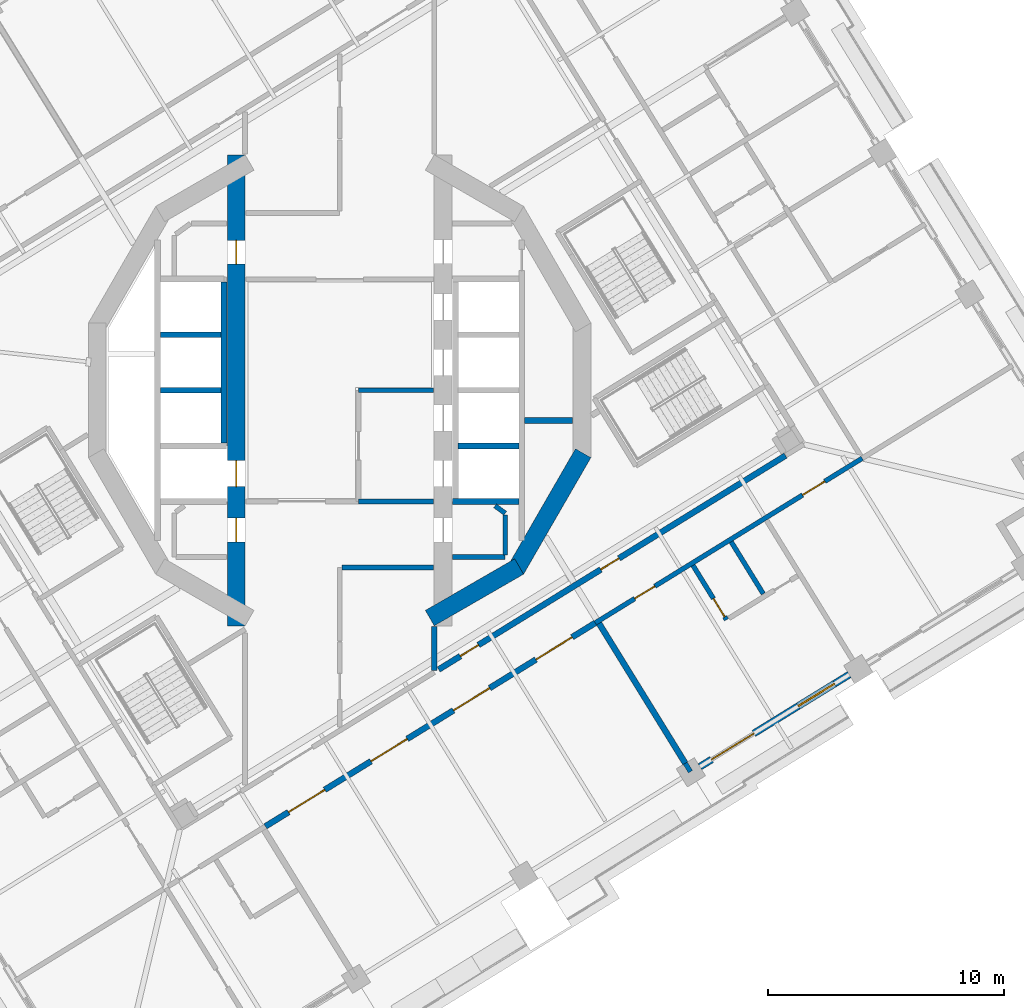
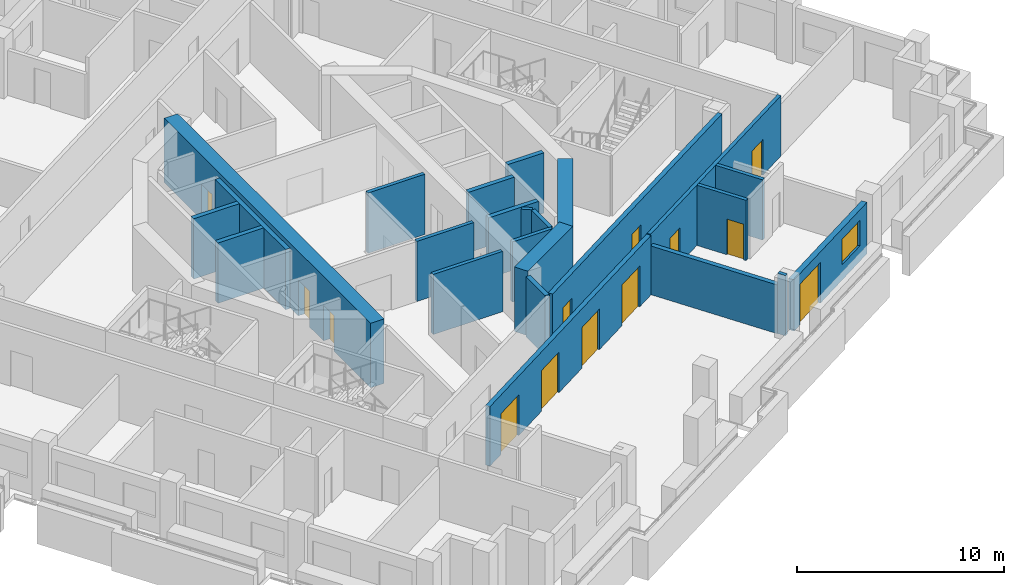
# One storey, part 6 of 21: 24 walls, 13 doors, 1 window, 14 openings.
"""IFC4 building model written with IfcOpenShell, lengths in metres."""

from ifc_helpers import new_model, si_unit, direction, frame, frame_2d, origin, place, context, subcontext, project, spatial, rectangle, extrude, material, layer, layer_set, type_object, element, fill, save


model = new_model("IFC4")

# Units and contexts
model_context = context("Model", 3, precision=1e-05, world=origin(), true_north=direction((0.0, 1.0)))
body_context = subcontext(model_context, "Body", "Model", "MODEL_VIEW")
ifc_project = project(units=[si_unit("LENGTHUNIT", "METRE"), si_unit("AREAUNIT", "SQUARE_METRE"), si_unit("VOLUMEUNIT", "CUBIC_METRE"), si_unit("PLANEANGLEUNIT", "RADIAN"), si_unit("MASSUNIT", "GRAM", prefix="KILO")], contexts=[model_context])

# Site, building, storey
site_placement = place(None, origin())
site = spatial("IfcSite", under=ifc_project, at=site_placement, CompositionType="ELEMENT")
building_placement = place(site_placement, origin())
building = spatial("IfcBuilding", under=site, at=building_placement, Name="Cantera Rosa Tower", CompositionType="ELEMENT")
storey_placement = place(building_placement, frame((0.0, 0.0, 170.39990234375)))
storey = spatial("IfcBuildingStorey", under=building, at=storey_placement, Name="L37", CompositionType="ELEMENT", Elevation=170.39990234375)

# Wall, openings, doors
ifc_material_1 = material(Name="Gypsum board partition")
ifc_layer_1 = layer(ifc_material_1, 0.199951171875)
ifc_layer_set_1 = layer_set([ifc_layer_1], Name="CORRIDOR WALL 200 H3550")
wall_type_1 = type_object("IfcWallType", Name="CORRIDOR WALL 200 H3550", PredefinedType="PARTITIONING", material=ifc_layer_set_1)
wall_1_placement = place(storey_placement, frame((10.810302734375, -9.83984375, 0.0), z_axis=(0.0, 0.0, 1.0), x_axis=(0.851117553223, 0.52497515236, 0.0)))
wall_1 = element("IfcWall", 1, at=wall_1_placement, inside=storey, type_object=wall_type_1, Name="CORRIDOR WALL L37-036", PredefinedType="PARTITIONING", context=body_context, shape_type="SweptSolid", body=[
    extrude(rectangle(XDim=13.2646484375, YDim=0.199951171875, at=frame_2d((6.63232421875, 0.0))), origin(), (0.0, 0.0, 1.0), 3.550048828125),
])
opening_1_placement = place(wall_1_placement, frame((1.9599609375, 0.0, 0.0)))
opening_1 = element("IfcOpeningElement", 2, at=opening_1_placement, cuts=wall_1, Name="Opening L37-049", PredefinedType="OPENING", context=body_context, shape_type="SweptSolid", body=[
    extrude(rectangle(XDim=1.0, YDim=2.10009765625, at=frame_2d((0.5, 1.050048828125))), frame((0.0, 0.10986328125, 0.0), z_axis=(0.0, -1.0, 0.0), x_axis=(1.0, 0.0, 0.0)), (0.0, 0.0, 1.0), 0.219970703125),
])
opening_2_placement = place(wall_1_placement, frame((10.304931640625, 0.0, 0.0)))
opening_2 = element("IfcOpeningElement", 3, at=opening_2_placement, cuts=wall_1, Name="Opening L37-055", PredefinedType="OPENING", context=body_context, shape_type="SweptSolid", body=[
    extrude(rectangle(XDim=1.10009765625, YDim=2.10009765625, at=frame_2d((0.550048828125, 1.050048828125))), frame((0.0, 0.10986328125, 0.0), z_axis=(0.0, -1.0, 0.0), x_axis=(1.0, 0.0, 0.0)), (0.0, 0.0, 1.0), 0.219970703125),
])
ifc_material_2 = material(Name="Timber door leaf", Category="wood")
door_type_1 = type_object("IfcDoorType", Name="ENTRANCE DOOR 1000x2100", OperationType="NOTDEFINED", PredefinedType="DOOR", material=ifc_material_2)
door_1_placement = place(opening_1_placement, origin())
door_1 = element("IfcDoor", 4, at=door_1_placement, inside=storey, type_object=door_type_1, Name="DOOR L37-049", OperationType="NOTDEFINED", OverallHeight=2.10009765625, OverallWidth=1.0, PredefinedType="DOOR", context=body_context, shape_type="SweptSolid", body=[
    extrude(rectangle(XDim=1.0, YDim=2.10009765625, at=frame_2d((0.5, 1.050048828125))), frame((0.0, 0.02490234375, 0.0), z_axis=(0.0, -1.0, 0.0), x_axis=(1.0, 0.0, 0.0)), (0.0, 0.0, 1.0), 0.050048828125),
])
fill(opening_1, door_1)
ifc_material_3 = material(Name="Timber door leaf", Category="wood")
door_type_2 = type_object("IfcDoorType", Name="ROOM DOOR 1100x2100", OperationType="NOTDEFINED", PredefinedType="DOOR", material=ifc_material_3)
door_2_placement = place(opening_2_placement, origin())
door_2 = element("IfcDoor", 5, at=door_2_placement, inside=storey, type_object=door_type_2, Name="DOOR L37-055", OperationType="NOTDEFINED", OverallHeight=2.10009765625, OverallWidth=1.10009765625, PredefinedType="DOOR", context=body_context, shape_type="SweptSolid", body=[
    extrude(rectangle(XDim=1.10009765625, YDim=2.10009765625, at=frame_2d((0.550048828125, 1.050048828125))), frame((0.0, 0.02490234375, 0.0), z_axis=(0.0, -1.0, 0.0), x_axis=(1.0, 0.0, 0.0)), (0.0, 0.0, 1.0), 0.050048828125),
])
fill(opening_2, door_2)

# Wall
wall_2_placement = place(storey_placement, frame((3.969970703125, -7.5, 0.0), z_axis=(0.0, 0.0, 1.0), x_axis=(-1.0, 0.0, 0.0)))
element("IfcWall", 6, at=wall_2_placement, inside=storey, type_object=wall_type_1, Name="CORRIDOR WALL L37-073", PredefinedType="PARTITIONING", context=body_context, shape_type="SweptSolid", body=[
    extrude(rectangle(XDim=3.869873046875, YDim=0.199951171875, at=frame_2d((1.93505859375, 0.0))), origin(), (0.0, 0.0, 1.0), 3.550048828125),
])

# Wall, openings, window, door
ifc_material_4 = material(Name="Hollow clay masonry with cantera stone cladding", Category="masonry")
ifc_layer_2 = layer(ifc_material_4, 0.300048828125)
ifc_layer_set_2 = layer_set([ifc_layer_2], Name="EW-LOGGIA 300 H3020")
wall_type_2 = type_object("IfcWallType", Name="EW-LOGGIA 300 H3020", PredefinedType="SOLIDWALL", material=ifc_layer_set_2)
wall_3_placement = place(storey_placement, frame((15.23681640625, -15.92138671875, 0.0), z_axis=(0.0, 0.0, 1.0), x_axis=(0.85112578684, 0.524961803349, 0.0)))
wall_3 = element("IfcWall", 7, at=wall_3_placement, inside=storey, type_object=wall_type_2, Name="EN-L37-W25", PredefinedType="SOLIDWALL", context=body_context, shape_type="SweptSolid", body=[
    extrude(rectangle(XDim=7.420166015625, YDim=0.300048828125, at=frame_2d((3.7099609375, 0.0))), origin(), (0.0, 0.0, 1.0), 3.02001953125),
])
opening_3_placement = place(wall_3_placement, frame((0.580078125, 0.0, 0.0)))
opening_3 = element("IfcOpeningElement", 8, at=opening_3_placement, cuts=wall_3, Name="Opening L37-TD33", PredefinedType="OPENING", context=body_context, shape_type="SweptSolid", body=[
    extrude(rectangle(XDim=2.10009765625, YDim=2.39990234375, at=frame_2d((1.050048828125, 1.199951171875))), frame((0.0, 0.159912109375, 0.0), z_axis=(0.0, -1.0, 0.0), x_axis=(1.0, 0.0, 0.0)), (0.0, 0.0, 1.0), 0.320068359375),
])
opening_4_placement = place(wall_3_placement, frame((4.889892578125, 0.0, 0.89990234375)))
opening_4 = element("IfcOpeningElement", 9, at=opening_4_placement, cuts=wall_3, Name="Opening L37-W34", PredefinedType="OPENING", context=body_context, shape_type="SweptSolid", body=[
    extrude(rectangle(XDim=1.800048828125, YDim=1.5, at=frame_2d((0.89990234375, 0.75))), frame((0.0, 0.159912109375, 0.0), z_axis=(0.0, -1.0, 0.0), x_axis=(1.0, 0.0, 0.0)), (0.0, 0.0, 1.0), 0.320068359375),
])
ifc_material_5 = material(Name="Aluminium frame with clear glass", Category="aluminium")
window_type = type_object("IfcWindowType", Name="Hotel room window 1800x1500", PartitioningType="DOUBLE_PANEL_VERTICAL", PredefinedType="WINDOW", material=ifc_material_5)
window_placement = place(opening_4_placement, origin())
window = element("IfcWindow", 10, at=window_placement, inside=storey, type_object=window_type, Name="WINDOW L37-W34", OverallHeight=1.5, OverallWidth=1.800048828125, PartitioningType="SINGLE_PANEL", PredefinedType="WINDOW", context=body_context, shape_type="SweptSolid", body=[
    extrude(rectangle(XDim=1.800048828125, YDim=1.5, at=frame_2d((0.89990234375, 0.75))), frame((0.0, 0.030029296875, 0.0), z_axis=(0.0, -1.0, 0.0), x_axis=(1.0, 0.0, 0.0)), (0.0, 0.0, 1.0), 0.06005859375),
])
fill(opening_4, window)
ifc_material_6 = material(Name="Aluminium frame with clear glass", Category="aluminium")
door_type_3 = type_object("IfcDoorType", Name="TD-H 2100x2400", OperationType="NOTDEFINED", PredefinedType="DOOR", material=ifc_material_6)
door_3_placement = place(opening_3_placement, origin())
door_3 = element("IfcDoor", 11, at=door_3_placement, inside=storey, type_object=door_type_3, Name="LOGGIA DOOR L37-TD33", OperationType="SLIDING_TO_LEFT", OverallHeight=2.39990234375, OverallWidth=2.10009765625, PredefinedType="DOOR", context=body_context, shape_type="SweptSolid", body=[
    extrude(rectangle(XDim=2.10009765625, YDim=2.39990234375, at=frame_2d((1.050048828125, 1.199951171875))), frame((0.0, 0.02490234375, 0.0), z_axis=(0.0, -1.0, 0.0), x_axis=(1.0, 0.0, 0.0)), (0.0, 0.0, 1.0), 0.050048828125),
])
fill(opening_3, door_3)

# Wall
ifc_material_7 = material(Name="Concrete C40/50", Category="concrete")
ifc_layer_3 = layer(ifc_material_7, 0.25)
ifc_layer_set_3 = layer_set([ifc_layer_3], Name="EW-POCKET CHEEK 250 H2870")
wall_type_3 = type_object("IfcWallType", Name="EW-POCKET CHEEK 250 H2870", PredefinedType="SOLIDWALL", material=ifc_layer_set_3)
wall_4_placement = place(storey_placement, frame((14.61767578125, -15.774658203125, 0.0), z_axis=(0.0, 0.0, 1.0), x_axis=(-0.524984984735, 0.851111488468, 0.0)))
element("IfcWall", 12, at=wall_4_placement, inside=storey, type_object=wall_type_3, Name="POCKET CHEEK B L37", PredefinedType="SOLIDWALL", context=body_context, shape_type="SweptSolid", body=[
    extrude(rectangle(XDim=6.949951171875, YDim=0.25, at=frame_2d((3.47509765625, 0.0))), origin(), (0.0, 0.0, 1.0), 2.8701171875),
])

# Wall, openings, doors
ifc_material_8 = material(Name="Hollow clay masonry with cantera stone cladding", Category="masonry")
ifc_layer_4 = layer(ifc_material_8, 0.25)
ifc_layer_set_4 = layer_set([ifc_layer_4], Name="EW-POCKET REAR 250")
wall_type_4 = type_object("IfcWallType", Name="EW-POCKET REAR 250", PredefinedType="SOLIDWALL", material=ifc_layer_set_4)
wall_5_placement = place(storey_placement, frame((-3.1396484375, -18.4443359375, 0.0), z_axis=(0.0, 0.0, 1.0), x_axis=(0.851111635158, 0.52498474692, 0.0)))
wall_5 = element("IfcWall", 13, at=wall_5_placement, inside=storey, type_object=wall_type_4, Name="POCKET REAR L37", PredefinedType="SOLIDWALL", context=body_context, shape_type="SweptSolid", body=[
    extrude(rectangle(XDim=16.389892578125, YDim=0.25, at=frame_2d((8.19482421875, 0.0))), origin(), (0.0, 0.0, 1.0), 3.5),
])
opening_5_placement = place(wall_5_placement, frame((1.148681640625, 0.0, 0.0)))
opening_5 = element("IfcOpeningElement", 14, at=opening_5_placement, cuts=wall_5, Name="Opening L37-LT01", PredefinedType="OPENING", context=body_context, shape_type="SweptSolid", body=[
    extrude(rectangle(XDim=1.800048828125, YDim=2.39990234375, at=frame_2d((0.89990234375, 1.199951171875))), frame((0.0, 0.135009765625, 0.0), z_axis=(0.0, -1.0, 0.0), x_axis=(1.0, 0.0, 0.0)), (0.0, 0.0, 1.0), 0.27001953125),
])
opening_6_placement = place(wall_5_placement, frame((5.246337890625, 0.0, 0.0)))
opening_6 = element("IfcOpeningElement", 15, at=opening_6_placement, cuts=wall_5, Name="Opening L37-LT02", PredefinedType="OPENING", context=body_context, shape_type="SweptSolid", body=[
    extrude(rectangle(XDim=1.800048828125, YDim=2.39990234375, at=frame_2d((0.89990234375, 1.199951171875))), frame((0.0, 0.135009765625, 0.0), z_axis=(0.0, -1.0, 0.0), x_axis=(1.0, 0.0, 0.0)), (0.0, 0.0, 1.0), 0.27001953125),
])
opening_7_placement = place(wall_5_placement, frame((9.34375, 0.0, 0.0)))
opening_7 = element("IfcOpeningElement", 16, at=opening_7_placement, cuts=wall_5, Name="Opening L37-LT03", PredefinedType="OPENING", context=body_context, shape_type="SweptSolid", body=[
    extrude(rectangle(XDim=1.800048828125, YDim=2.39990234375, at=frame_2d((0.89990234375, 1.199951171875))), frame((0.0, 0.135009765625, 0.0), z_axis=(0.0, -1.0, 0.0), x_axis=(1.0, 0.0, 0.0)), (0.0, 0.0, 1.0), 0.27001953125),
])
opening_8_placement = place(wall_5_placement, frame((13.441162109375, 0.0, 0.0)))
opening_8 = element("IfcOpeningElement", 17, at=opening_8_placement, cuts=wall_5, Name="Opening L37-LT04", PredefinedType="OPENING", context=body_context, shape_type="SweptSolid", body=[
    extrude(rectangle(XDim=1.800048828125, YDim=2.39990234375, at=frame_2d((0.89990234375, 1.199951171875))), frame((0.0, 0.135009765625, 0.0), z_axis=(0.0, -1.0, 0.0), x_axis=(1.0, 0.0, 0.0)), (0.0, 0.0, 1.0), 0.27001953125),
])
ifc_material_9 = material(Name="Aluminium frame with clear glass", Category="aluminium")
door_type_4 = type_object("IfcDoorType", Name="TD-T 1800x2400", OperationType="NOTDEFINED", PredefinedType="DOOR", material=ifc_material_9)
door_4_placement = place(opening_5_placement, origin())
door_4 = element("IfcDoor", 18, at=door_4_placement, inside=storey, type_object=door_type_4, Name="TERRACE DOOR L37-LT01", OperationType="DOUBLE_DOOR_SINGLE_SWING", OverallHeight=2.39990234375, OverallWidth=1.800048828125, PredefinedType="DOOR", context=body_context, shape_type="SweptSolid", body=[
    extrude(rectangle(XDim=1.800048828125, YDim=2.39990234375, at=frame_2d((0.89990234375, 1.199951171875))), frame((0.0, 0.02490234375, 0.0), z_axis=(0.0, -1.0, 0.0), x_axis=(1.0, 0.0, 0.0)), (0.0, 0.0, 1.0), 0.050048828125),
])
fill(opening_5, door_4)
door_5_placement = place(opening_6_placement, origin())
door_5 = element("IfcDoor", 19, at=door_5_placement, inside=storey, type_object=door_type_4, Name="TERRACE DOOR L37-LT02", OperationType="DOUBLE_DOOR_SINGLE_SWING", OverallHeight=2.39990234375, OverallWidth=1.800048828125, PredefinedType="DOOR", context=body_context, shape_type="SweptSolid", body=[
    extrude(rectangle(XDim=1.800048828125, YDim=2.39990234375, at=frame_2d((0.89990234375, 1.199951171875))), frame((0.0, 0.02490234375, 0.0), z_axis=(0.0, -1.0, 0.0), x_axis=(1.0, 0.0, 0.0)), (0.0, 0.0, 1.0), 0.050048828125),
])
fill(opening_6, door_5)
door_6_placement = place(opening_7_placement, origin())
door_6 = element("IfcDoor", 20, at=door_6_placement, inside=storey, type_object=door_type_4, Name="TERRACE DOOR L37-LT03", OperationType="DOUBLE_DOOR_SINGLE_SWING", OverallHeight=2.39990234375, OverallWidth=1.800048828125, PredefinedType="DOOR", context=body_context, shape_type="SweptSolid", body=[
    extrude(rectangle(XDim=1.800048828125, YDim=2.39990234375, at=frame_2d((0.89990234375, 1.199951171875))), frame((0.0, 0.02490234375, 0.0), z_axis=(0.0, -1.0, 0.0), x_axis=(1.0, 0.0, 0.0)), (0.0, 0.0, 1.0), 0.050048828125),
])
fill(opening_7, door_6)
door_7_placement = place(opening_8_placement, origin())
door_7 = element("IfcDoor", 21, at=door_7_placement, inside=storey, type_object=door_type_4, Name="TERRACE DOOR L37-LT04", OperationType="DOUBLE_DOOR_SINGLE_SWING", OverallHeight=2.39990234375, OverallWidth=1.800048828125, PredefinedType="DOOR", context=body_context, shape_type="SweptSolid", body=[
    extrude(rectangle(XDim=1.800048828125, YDim=2.39990234375, at=frame_2d((0.89990234375, 1.199951171875))), frame((0.0, 0.02490234375, 0.0), z_axis=(0.0, -1.0, 0.0), x_axis=(1.0, 0.0, 0.0)), (0.0, 0.0, 1.0), 0.050048828125),
])
fill(opening_8, door_7)

# Walls
ifc_material_10 = material(Name="Gypsum board partition")
ifc_layer_5 = layer(ifc_material_10, 0.199951171875)
ifc_layer_set_5 = layer_set([ifc_layer_5], Name="PARTITION 200 H3550")
wall_type_5 = type_object("IfcWallType", Name="PARTITION 200 H3550", PredefinedType="PARTITIONING", material=ifc_layer_set_5)
wall_6_placement = place(storey_placement, frame((6.572509765625, -4.888427734375, 0.0), z_axis=(0.0, 0.0, 1.0), x_axis=(0.808176867567, -0.588939853236, 0.0)))
element("IfcWall", 22, at=wall_6_placement, inside=storey, type_object=wall_type_5, Name="PARTITION L37-083", PredefinedType="PARTITIONING", context=body_context, shape_type="SweptSolid", body=[
    extrude(rectangle(XDim=0.529052734375, YDim=0.199951171875, at=frame_2d((0.2646484375, 0.0))), origin(), (0.0, 0.0, 1.0), 3.550048828125),
])
wall_7_placement = place(storey_placement, frame((7.0, -7.050048828125, 0.0), z_axis=(0.0, 0.0, 1.0), x_axis=(-1.0, 0.0, 0.0)))
element("IfcWall", 23, at=wall_7_placement, inside=storey, type_object=wall_type_5, Name="PARTITION L37-086", PredefinedType="PARTITIONING", context=body_context, shape_type="SweptSolid", body=[
    extrude(rectangle(XDim=2.219970703125, YDim=0.199951171875, at=frame_2d((1.10986328125, 0.0))), origin(), (0.0, 0.0, 1.0), 3.550048828125),
])
wall_8_placement = place(storey_placement, frame((7.0, -5.280029296875, 0.0), z_axis=(0.0, 0.0, 1.0), x_axis=(0.0, -1.0, 0.0)))
element("IfcWall", 24, at=wall_8_placement, inside=storey, type_object=wall_type_5, Name="PARTITION L37-087", PredefinedType="PARTITIONING", context=body_context, shape_type="SweptSolid", body=[
    extrude(rectangle(XDim=1.68994140625, YDim=0.199951171875, at=frame_2d((0.844970703125, 0.0))), origin(), (0.0, 0.0, 1.0), 3.550048828125),
])

# Wall, opening, door
wall_9_placement = place(storey_placement, frame((16.361083984375, -9.705810546875, 0.0), z_axis=(0.0, 0.0, 1.0), x_axis=(-0.524909448059, 0.851158076586, 0.0)))
wall_9 = element("IfcWall", 25, at=wall_9_placement, inside=storey, type_object=wall_type_5, Name="PARTITION L37-115", PredefinedType="PARTITIONING", context=body_context, shape_type="SweptSolid", body=[
    extrude(rectangle(XDim=2.699951171875, YDim=0.199951171875, at=frame_2d((1.35009765625, 0.0))), origin(), (0.0, 0.0, 1.0), 3.550048828125),
])
opening_9_placement = place(wall_9_placement, frame((0.14990234375, 0.0, 0.0)))
opening_9 = element("IfcOpeningElement", 26, at=opening_9_placement, cuts=wall_9, Name="Opening L37-051", PredefinedType="OPENING", context=body_context, shape_type="SweptSolid", body=[
    extrude(rectangle(XDim=0.89990234375, YDim=2.10009765625, at=frame_2d((0.449951171875, 1.050048828125))), frame((0.0, 0.10986328125, 0.0), z_axis=(0.0, -1.0, 0.0), x_axis=(1.0, 0.0, 0.0)), (0.0, 0.0, 1.0), 0.219970703125),
])
ifc_material_11 = material(Name="Timber door leaf", Category="wood")
door_type_5 = type_object("IfcDoorType", Name="ROOM DOOR 900x2100", OperationType="NOTDEFINED", PredefinedType="DOOR", material=ifc_material_11)
door_8_placement = place(opening_9_placement, origin())
door_8 = element("IfcDoor", 27, at=door_8_placement, inside=storey, type_object=door_type_5, Name="DOOR L37-051", OperationType="NOTDEFINED", OverallHeight=2.10009765625, OverallWidth=0.89990234375, PredefinedType="DOOR", context=body_context, shape_type="SweptSolid", body=[
    extrude(rectangle(XDim=0.89990234375, YDim=2.10009765625, at=frame_2d((0.449951171875, 1.050048828125))), frame((0.0, 0.02490234375, 0.0), z_axis=(0.0, -1.0, 0.0), x_axis=(1.0, 0.0, 0.0)), (0.0, 0.0, 1.0), 0.050048828125),
])
fill(opening_9, door_8)

# Walls
wall_10_placement = place(storey_placement, frame((17.915283203125, -8.606201171875, 0.0), z_axis=(0.0, 0.0, 1.0), x_axis=(-0.525005247362, 0.851098989685, 0.0)))
element("IfcWall", 28, at=wall_10_placement, inside=storey, type_object=wall_type_5, Name="PARTITION L37-118", PredefinedType="PARTITIONING", context=body_context, shape_type="SweptSolid", body=[
    extrude(rectangle(XDim=2.580078125, YDim=0.199951171875, at=frame_2d((1.2900390625, 0.0))), origin(), (0.0, 0.0, 1.0), 3.550048828125),
])
ifc_material_12 = material(Name="Gypsum board partition")
ifc_layer_6 = layer(ifc_material_12, 0.199951171875)
ifc_layer_set_6 = layer_set([ifc_layer_6], Name="PARTY WALL 200 H3550")
wall_type_6 = type_object("IfcWallType", Name="PARTY WALL 200 H3550", PredefinedType="PARTITIONING", material=ifc_layer_set_6)
wall_11_placement = place(storey_placement, frame((14.838134765625, -16.132080078125, 0.0), z_axis=(0.0, 0.0, 1.0), x_axis=(-0.524972939322, 0.851118918236, 0.0)))
element("IfcWall", 29, at=wall_11_placement, inside=storey, type_object=wall_type_6, Name="PARTY WALL L37-110", PredefinedType="PARTITIONING", context=body_context, shape_type="SweptSolid", body=[
    extrude(rectangle(XDim=0.419921875, YDim=0.199951171875, at=frame_2d((0.2099609375, 0.0))), origin(), (0.0, 0.0, 1.0), 3.550048828125),
])

# Wall, openings, doors
ifc_material_13 = material(Name="Concrete C60/75", Category="concrete")
ifc_layer_7 = layer(ifc_material_13, 0.75)
ifc_layer_set_7 = layer_set([ifc_layer_7], Name="RC CORE WALL 750 C60/75")
wall_type_7 = type_object("IfcWallType", Name="RC CORE WALL 750 C60/75", PredefinedType="SHEAR", material=ifc_layer_set_7)
wall_12_placement = place(storey_placement, frame((-4.375, 9.95947265625, 0.0), z_axis=(0.0, 0.0, 1.0), x_axis=(0.0, -1.0, 0.0)))
wall_12 = element("IfcWall", 30, at=wall_12_placement, inside=storey, type_object=wall_type_7, Name="CW-W6 L37", PredefinedType="SHEAR", context=body_context, shape_type="SweptSolid", body=[
    extrude(rectangle(XDim=19.9189453125, YDim=0.75, at=frame_2d((9.95947265625, 0.0))), origin(), (0.0, 0.0, 1.0), 3.800048828125),
])
opening_10_placement = place(wall_12_placement, frame((12.9345703125, 0.0, 0.0)))
opening_10 = element("IfcOpeningElement", 31, at=opening_10_placement, cuts=wall_12, Name="Opening LD-P3-L37", PredefinedType="OPENING", context=body_context, shape_type="SweptSolid", body=[
    extrude(rectangle(XDim=1.10009765625, YDim=2.10009765625, at=frame_2d((0.550048828125, 1.050048828125))), frame((0.0, 0.385009765625, 0.0), z_axis=(0.0, -1.0, 0.0), x_axis=(1.0, 0.0, 0.0)), (0.0, 0.0, 1.0), 0.77001953125),
])
opening_11_placement = place(wall_12_placement, frame((15.368408203125, 0.0, 0.0)))
opening_11 = element("IfcOpeningElement", 32, at=opening_11_placement, cuts=wall_12, Name="Opening SD-L37-18", PredefinedType="OPENING", context=body_context, shape_type="SweptSolid", body=[
    extrude(rectangle(XDim=1.0, YDim=2.10009765625, at=frame_2d((0.5, 1.050048828125))), frame((0.0, 0.385009765625, 0.0), z_axis=(0.0, -1.0, 0.0), x_axis=(1.0, 0.0, 0.0)), (0.0, 0.0, 1.0), 0.77001953125),
])
opening_12_placement = place(wall_12_placement, frame((3.618408203125, 0.0, 0.0)))
opening_12 = element("IfcOpeningElement", 33, at=opening_12_placement, cuts=wall_12, Name="Opening SD-L37-19", PredefinedType="OPENING", context=body_context, shape_type="SweptSolid", body=[
    extrude(rectangle(XDim=1.0, YDim=2.10009765625, at=frame_2d((0.5, 1.050048828125))), frame((0.0, 0.385009765625, 0.0), z_axis=(0.0, -1.0, 0.0), x_axis=(1.0, 0.0, 0.0)), (0.0, 0.0, 1.0), 0.77001953125),
])
ifc_material_14 = material(Name="Steel S355J2 (EN 10025-2)", Category="steel")
door_type_6 = type_object("IfcDoorType", Name="LANDING DOOR 1100x2100", OperationType="NOTDEFINED", PredefinedType="DOOR", material=ifc_material_14)
door_9_placement = place(opening_10_placement, origin())
door_9 = element("IfcDoor", 34, at=door_9_placement, inside=storey, type_object=door_type_6, Name="LANDING DOOR P3 L37", OperationType="SLIDING_TO_LEFT", OverallHeight=2.10009765625, OverallWidth=1.10009765625, PredefinedType="DOOR", context=body_context, shape_type="SweptSolid", body=[
    extrude(rectangle(XDim=1.10009765625, YDim=2.10009765625, at=frame_2d((0.550048828125, 1.050048828125))), frame((0.0, 0.02490234375, 0.0), z_axis=(0.0, -1.0, 0.0), x_axis=(1.0, 0.0, 0.0)), (0.0, 0.0, 1.0), 0.050048828125),
])
fill(opening_10, door_9)
ifc_material_15 = material(Name="Timber door leaf", Category="wood")
door_type_7 = type_object("IfcDoorType", Name="SERVICE DOOR 1000x2100", OperationType="NOTDEFINED", PredefinedType="DOOR", material=ifc_material_15)
door_10_placement = place(opening_11_placement, origin())
door_10 = element("IfcDoor", 35, at=door_10_placement, inside=storey, type_object=door_type_7, Name="DOOR L37-SD18", OperationType="NOTDEFINED", OverallHeight=2.10009765625, OverallWidth=1.0, PredefinedType="DOOR", context=body_context, shape_type="SweptSolid", body=[
    extrude(rectangle(XDim=1.0, YDim=2.10009765625, at=frame_2d((0.5, 1.050048828125))), frame((0.0, 0.02490234375, 0.0), z_axis=(0.0, -1.0, 0.0), x_axis=(1.0, 0.0, 0.0)), (0.0, 0.0, 1.0), 0.050048828125),
])
fill(opening_11, door_10)
door_11_placement = place(opening_12_placement, origin())
door_11 = element("IfcDoor", 36, at=door_11_placement, inside=storey, type_object=door_type_7, Name="DOOR L37-SD19", OperationType="NOTDEFINED", OverallHeight=2.10009765625, OverallWidth=1.0, PredefinedType="DOOR", context=body_context, shape_type="SweptSolid", body=[
    extrude(rectangle(XDim=1.0, YDim=2.10009765625, at=frame_2d((0.5, 1.050048828125))), frame((0.0, 0.02490234375, 0.0), z_axis=(0.0, -1.0, 0.0), x_axis=(1.0, 0.0, 0.0)), (0.0, 0.0, 1.0), 0.050048828125),
])
fill(opening_12, door_11)

# Walls
wall_13_placement = place(storey_placement, frame((10.300537109375, -2.659423828125, 0.0), z_axis=(0.0, 0.0, 1.0), x_axis=(-0.500021842983, -0.866012792365, 0.0)))
element("IfcWall", 37, at=wall_13_placement, inside=storey, type_object=wall_type_7, Name="CW-E4 L37", PredefinedType="SHEAR", context=body_context, shape_type="SweptSolid", body=[
    extrude(rectangle(XDim=5.694091796875, YDim=0.75, at=frame_2d((2.84716796875, 0.0))), origin(), (0.0, 0.0, 1.0), 3.800048828125),
])
wall_14_placement = place(storey_placement, frame((7.590576171875, -7.453369140625, 0.0), z_axis=(0.0, 0.0, 1.0), x_axis=(-0.866013176292, -0.50002117804, 0.0)))
element("IfcWall", 38, at=wall_14_placement, inside=storey, type_object=wall_type_7, Name="CW-E5 L37", PredefinedType="SHEAR", context=body_context, shape_type="SweptSolid", body=[
    extrude(rectangle(XDim=4.362548828125, YDim=0.75, at=frame_2d((2.18115234375, 0.0))), origin(), (0.0, 0.0, 1.0), 3.800048828125),
])
ifc_material_16 = material(Name="Masonry blockwork", Category="masonry")
ifc_layer_8 = layer(ifc_material_16, 0.25)
ifc_layer_set_8 = layer_set([ifc_layer_8], Name="SHAFT WALL 250 H3550")
wall_type_8 = type_object("IfcWallType", Name="SHAFT WALL 250 H3550", PredefinedType="SOLIDWALL", material=ifc_layer_set_8)
for number, where, z_axis, x_axis, name in (
    (39, (-7.574951171875, 0.0, 0.0), (0.0, 0.0, 1.0), (1.0, 0.0, 0.0), "SHAFT WALL L37-030"),
    (40, (-7.574951171875, 2.35009765625, 0.0), (0.0, 0.0, 1.0), (1.0, 0.0, 0.0), "SHAFT WALL L37-031"),
):
    element("IfcWall", number, at=place(storey_placement, frame(where, z_axis=z_axis, x_axis=x_axis)), inside=storey, type_object=wall_type_8, Name=name, PredefinedType="SOLIDWALL", context=body_context, shape_type="SweptSolid", body=[
        extrude(rectangle(XDim=2.550048828125, YDim=0.25, at=frame_2d((1.27490234375, 0.0))), origin(), (0.0, 0.0, 1.0), 3.550048828125),
    ])
wall_15_placement = place(storey_placement, frame((-4.89990234375, 4.580078125, 0.0), z_axis=(0.0, 0.0, 1.0), x_axis=(0.0, -1.0, 0.0)))
element("IfcWall", 41, at=wall_15_placement, inside=storey, type_object=wall_type_8, Name="SHAFT WALL L37-046", PredefinedType="SOLIDWALL", context=body_context, shape_type="SweptSolid", body=[
    extrude(rectangle(XDim=6.80517578125, YDim=0.25, at=frame_2d((3.402587890625, 0.0))), origin(), (0.0, 0.0, 1.0), 3.550048828125),
])
wall_16_placement = place(storey_placement, frame((4.0, -11.845703125, 0.0), z_axis=(0.0, 0.0, 1.0), x_axis=(0.0, 1.0, 0.0)))
element("IfcWall", 42, at=wall_16_placement, inside=storey, type_object=wall_type_8, Name="SHAFT WALL L37-075", PredefinedType="SOLIDWALL", context=body_context, shape_type="SweptSolid", body=[
    extrude(rectangle(XDim=1.8515625, YDim=0.25, at=frame_2d((0.92578125, 0.0))), origin(), (0.0, 0.0, 1.0), 3.550048828125),
])

# Wall, openings, doors
wall_17_placement = place(storey_placement, frame((4.187255859375, -11.81005859375, 0.0), z_axis=(0.0, 0.0, 1.0), x_axis=(0.851119501836, 0.524971993153, 0.0)))
wall_17 = element("IfcWall", 43, at=wall_17_placement, inside=storey, type_object=wall_type_8, Name="SHAFT WALL L37-076", PredefinedType="SOLIDWALL", context=body_context, shape_type="SweptSolid", body=[
    extrude(rectangle(XDim=17.236328125, YDim=0.25, at=frame_2d((8.6181640625, 0.0))), origin(), (0.0, 0.0, 1.0), 3.550048828125),
])
opening_13_placement = place(wall_17_placement, frame((1.07568359375, 0.0, 0.0)))
opening_13 = element("IfcOpeningElement", 44, at=opening_13_placement, cuts=wall_17, Name="Opening L37-009", PredefinedType="OPENING", context=body_context, shape_type="SweptSolid", body=[
    extrude(rectangle(XDim=0.89990234375, YDim=2.10009765625, at=frame_2d((0.449951171875, 1.050048828125))), frame((0.0, 0.135009765625, 0.0), z_axis=(0.0, -1.0, 0.0), x_axis=(1.0, 0.0, 0.0)), (0.0, 0.0, 1.0), 0.27001953125),
])
opening_14_placement = place(wall_17_placement, frame((8.05810546875, 0.0, 0.0)))
opening_14 = element("IfcOpeningElement", 45, at=opening_14_placement, cuts=wall_17, Name="Opening L37-057", PredefinedType="OPENING", context=body_context, shape_type="SweptSolid", body=[
    extrude(rectangle(XDim=0.89990234375, YDim=2.10009765625, at=frame_2d((0.449951171875, 1.050048828125))), frame((0.0, 0.135009765625, 0.0), z_axis=(0.0, -1.0, 0.0), x_axis=(1.0, 0.0, 0.0)), (0.0, 0.0, 1.0), 0.27001953125),
])
ifc_material_17 = material(Name="Timber door leaf", Category="wood")
door_type_8 = type_object("IfcDoorType", Name="SERVICE DOOR 900x2100", OperationType="NOTDEFINED", PredefinedType="DOOR", material=ifc_material_17)
door_12_placement = place(opening_13_placement, origin())
door_12 = element("IfcDoor", 46, at=door_12_placement, inside=storey, type_object=door_type_8, Name="RISER DOOR L37-009", OperationType="NOTDEFINED", OverallHeight=2.10009765625, OverallWidth=0.89990234375, PredefinedType="DOOR", context=body_context, shape_type="SweptSolid", body=[
    extrude(rectangle(XDim=0.89990234375, YDim=2.10009765625, at=frame_2d((0.449951171875, 1.050048828125))), frame((0.0, 0.02490234375, 0.0), z_axis=(0.0, -1.0, 0.0), x_axis=(1.0, 0.0, 0.0)), (0.0, 0.0, 1.0), 0.050048828125),
])
fill(opening_13, door_12)
door_13_placement = place(opening_14_placement, origin())
door_13 = element("IfcDoor", 47, at=door_13_placement, inside=storey, type_object=door_type_8, Name="RISER DOOR L37-057", OperationType="NOTDEFINED", OverallHeight=2.10009765625, OverallWidth=0.89990234375, PredefinedType="DOOR", context=body_context, shape_type="SweptSolid", body=[
    extrude(rectangle(XDim=0.89990234375, YDim=2.10009765625, at=frame_2d((0.449951171875, 1.050048828125))), frame((0.0, 0.02490234375, 0.0), z_axis=(0.0, -1.0, 0.0), x_axis=(1.0, 0.0, 0.0)), (0.0, 0.0, 1.0), 0.050048828125),
])
fill(opening_14, door_13)

# Walls
wall_18_placement = place(storey_placement, frame((7.574951171875, -4.699951171875, 0.0), z_axis=(0.0, 0.0, 1.0), x_axis=(-1.0, 0.0, 0.0)))
element("IfcWall", 48, at=wall_18_placement, inside=storey, type_object=wall_type_8, Name="SHAFT WALL L37-093", PredefinedType="SOLIDWALL", context=body_context, shape_type="SweptSolid", body=[
    extrude(rectangle(XDim=2.794921875, YDim=0.25, at=frame_2d((1.3974609375, 0.0))), origin(), (0.0, 0.0, 1.0), 3.550048828125),
])
wall_19_placement = place(storey_placement, frame((7.574951171875, -2.35009765625, 0.0), z_axis=(0.0, 0.0, 1.0), x_axis=(-1.0, 0.0, 0.0)))
element("IfcWall", 49, at=wall_19_placement, inside=storey, type_object=wall_type_8, Name="SHAFT WALL L37-094", PredefinedType="SOLIDWALL", context=body_context, shape_type="SweptSolid", body=[
    extrude(rectangle(XDim=2.56005859375, YDim=0.25, at=frame_2d((1.280029296875, 0.0))), origin(), (0.0, 0.0, 1.0), 3.550048828125),
])
wall_20_placement = place(storey_placement, frame((7.824951171875, -1.28271484375, 0.0), z_axis=(0.0, 0.0, 1.0), x_axis=(1.0, 0.0, 0.0)))
element("IfcWall", 50, at=wall_20_placement, inside=storey, type_object=wall_type_8, Name="SHAFT WALL L37-095", PredefinedType="SOLIDWALL", context=body_context, shape_type="SweptSolid", body=[
    extrude(rectangle(XDim=2.020263671875, YDim=0.25, at=frame_2d((1.01025390625, 0.0))), origin(), (0.0, 0.0, 1.0), 3.550048828125),
])
ifc_material_18 = material(Name="Concrete C50/60", Category="concrete")
ifc_layer_9 = layer(ifc_material_18, 0.199951171875)
ifc_layer_set_9 = layer_set([ifc_layer_9], Name="STAIR WALL 200 H3550")
wall_type_9 = type_object("IfcWallType", Name="STAIR WALL 200 H3550", PredefinedType="SOLIDWALL", material=ifc_layer_set_9)
for number, where, z_axis, x_axis, name in (
    (51, (0.800048828125, 0.0, 0.0), (0.0, 0.0, 1.0), (1.0, 0.0, 0.0), "STAIR WALL L37-068"),
    (52, (3.969970703125, -4.699951171875, 0.0), (0.0, 0.0, 1.0), (-1.0, 0.0, 0.0), "STAIR WALL L37-074"),
):
    element("IfcWall", number, at=place(storey_placement, frame(where, z_axis=z_axis, x_axis=x_axis)), inside=storey, type_object=wall_type_9, Name=name, PredefinedType="SOLIDWALL", context=body_context, shape_type="SweptSolid", body=[
        extrude(rectangle(XDim=3.169921875, YDim=0.199951171875, at=frame_2d((1.5849609375, 0.0))), origin(), (0.0, 0.0, 1.0), 3.550048828125),
    ])

save(model, "model.ifc")
